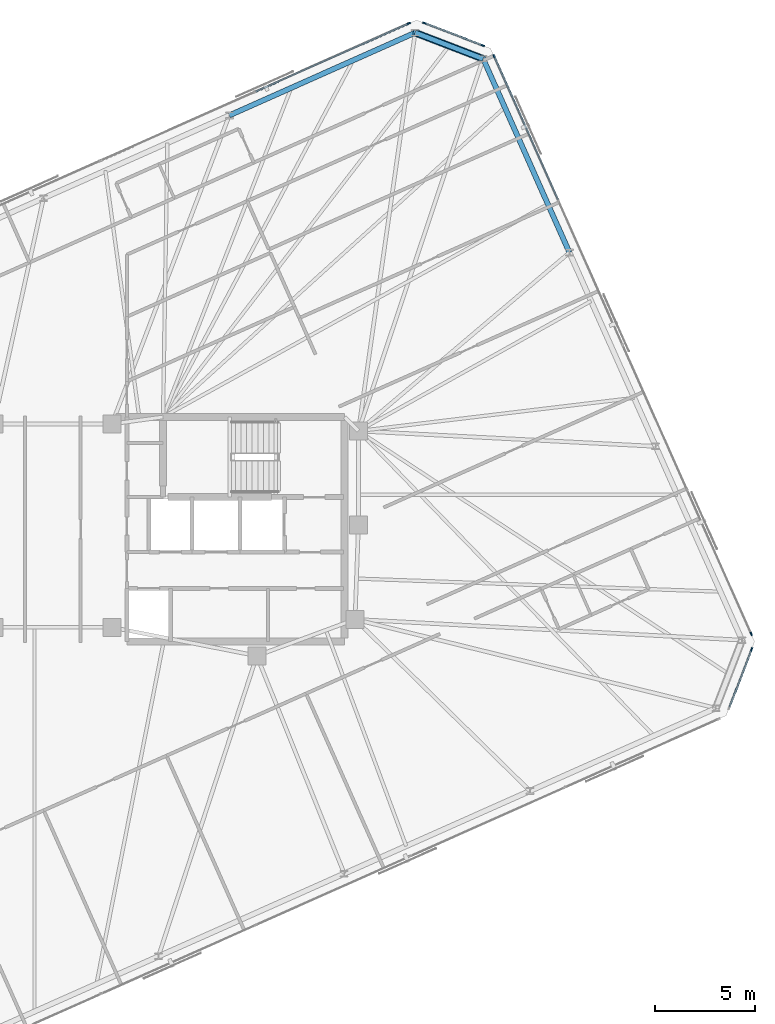
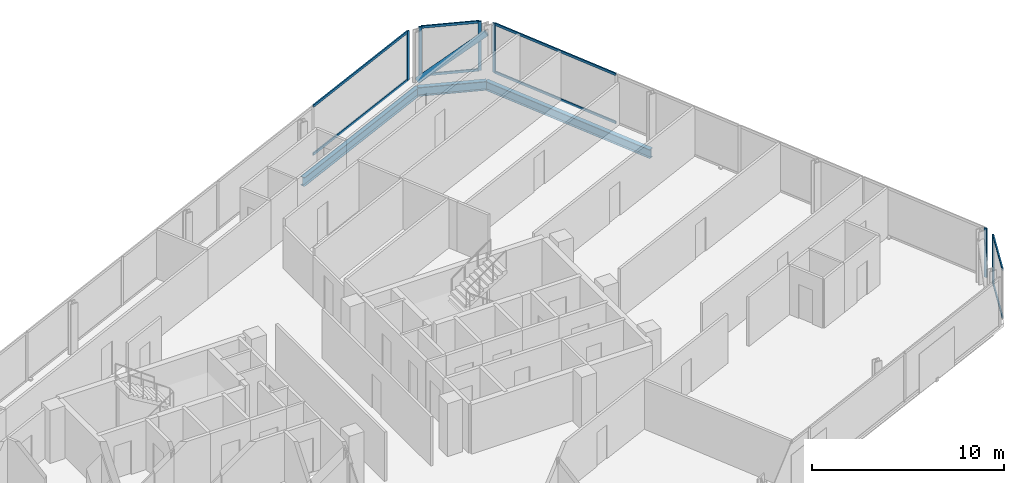
# One storey, part 11 of 19: 15 members, 3 beams, 4 elements without a shape of their own.
"""IFC4 building model written with IfcOpenShell, lengths in metres."""

from ifc_helpers import new_model, si_unit, direction, frame, origin, origin_2d, place, context, subcontext, project, spatial, rectangle, hollow_circle, i_section, extrude, material, material_profile, profile_set, type_object, element, aggregate, save


model = new_model("IFC4")

# Units and contexts
model_context = context("Model", 3, precision=1e-05, world=origin(), true_north=direction((0.0, 1.0)))
body_context = subcontext(model_context, "Body", "Model", "MODEL_VIEW")
ifc_project = project(units=[si_unit("LENGTHUNIT", "METRE"), si_unit("AREAUNIT", "SQUARE_METRE"), si_unit("VOLUMEUNIT", "CUBIC_METRE"), si_unit("PLANEANGLEUNIT", "RADIAN"), si_unit("MASSUNIT", "GRAM", prefix="KILO")], contexts=[model_context])

# Site, building, storey
site_placement = place(None, origin())
site = spatial("IfcSite", under=ifc_project, at=site_placement, CompositionType="ELEMENT")
building_placement = place(site_placement, origin())
building = spatial("IfcBuilding", under=site, at=building_placement, Name="Menara Jurai Vektor", CompositionType="ELEMENT")
storey_placement = place(building_placement, frame((0.0, 0.0, 288.60009765625)))
storey = spatial("IfcBuildingStorey", under=building, at=storey_placement, Name="L77", CompositionType="ELEMENT", Elevation=288.60009765625)

# Curtain wall, member
ifc_material_1 = material(Name="Anodised Pale Aluminium & Low-E Double Glazing", Category="aluminium")
curtain_wall_type = type_object("IfcCurtainWallType", Name="CW-BLK5", PredefinedType="NOTDEFINED", material=ifc_material_1)
curtain_wall_1_placement = place(storey_placement, origin())
curtain_wall_1 = element("IfcCurtainWall", 1, at=curtain_wall_1_placement, inside=storey, type_object=curtain_wall_type, Name="Unitised Curtain Wall L77 F02", PredefinedType="NOTDEFINED")
ifc_material_2 = material(Name="Anodised Pale Aluminium Mullion", Category="aluminium")
ifc_material_profile_1 = material_profile(ifc_material_2, rectangle(XDim=0.074951171875, YDim=0.175048828125, at=origin_2d()), Name="ALU MUL 75x175")
ifc_profile_set_1 = profile_set([ifc_material_profile_1], Name="Anodised Pale Aluminium Mullion")
member_type_1 = type_object("IfcMemberType", Name="CW-BLK5-MUL", PredefinedType="MULLION", material=ifc_profile_set_1)
member_1_placement = place(storey_placement, frame((34.87548828125, -5.997314453125, 0.0), z_axis=(0.0, 0.0, 1.0), x_axis=(-0.933578193639, 0.358373766287, 0.0)))
member_1 = element("IfcMember", 2, at=member_1_placement, type_object=member_type_1, Name="CW-05 mullion 2", PredefinedType="MULLION", context=body_context, shape_type="SweptSolid", body=[
    extrude(rectangle(XDim=0.074951171875, YDim=0.175048828125, at=origin_2d()), origin(), (0.0, 0.0, 1.0), 3.125),
])

# Curtain wall, members
curtain_wall_2_placement = place(storey_placement, origin())
curtain_wall_2 = element("IfcCurtainWall", 3, at=curtain_wall_2_placement, inside=storey, type_object=curtain_wall_type, Name="Unitised Curtain Wall L77 F03", PredefinedType="NOTDEFINED")
member_2_placement = place(storey_placement, frame((34.85546875, -5.22607421875, 0.0), z_axis=(0.0, 0.0, 1.0), x_axis=(-0.913546127706, -0.406735138086, 0.0)))
member_2 = element("IfcMember", 4, at=member_2_placement, type_object=member_type_1, Name="CW-05 mullion 1", PredefinedType="MULLION", context=body_context, shape_type="SweptSolid", body=[
    extrude(rectangle(XDim=0.074951171875, YDim=0.175048828125, at=origin_2d()), origin(), (0.0, 0.0, 1.0), 3.125),
])
member_3_placement = place(storey_placement, frame((22.016845703125, 23.610107421875, 0.0), z_axis=(0.0, 0.0, 1.0), x_axis=(-0.913546127706, -0.406735138086, 0.0)))
member_3 = element("IfcMember", 5, at=member_3_placement, type_object=member_type_1, Name="CW-05 mullion 5", PredefinedType="MULLION", context=body_context, shape_type="SweptSolid", body=[
    extrude(rectangle(XDim=0.074951171875, YDim=0.175048828125, at=origin_2d()), origin(), (0.0, 0.0, 1.0), 3.125),
])

curtain_wall_3_placement = place(storey_placement, origin())
curtain_wall_3 = element("IfcCurtainWall", 6, at=curtain_wall_3_placement, inside=storey, type_object=curtain_wall_type, Name="Unitised Curtain Wall L77 F04", PredefinedType="NOTDEFINED")
member_4_placement = place(storey_placement, frame((21.45703125, 24.14111328125, 0.0), z_axis=(0.0, 0.0, 1.0), x_axis=(-0.358373766287, -0.933578193639, 0.0)))
member_4 = element("IfcMember", 7, at=member_4_placement, type_object=member_type_1, Name="CW-05 mullion 1", PredefinedType="MULLION", context=body_context, shape_type="SweptSolid", body=[
    extrude(rectangle(XDim=0.074951171875, YDim=0.175048828125, at=origin_2d()), origin(), (0.0, 0.0, 1.0), 3.125),
])
member_5_placement = place(storey_placement, frame((18.539794921875, 25.2607421875, 0.0), z_axis=(0.0, 0.0, 1.0), x_axis=(-0.358373766287, -0.933578193639, 0.0)))
member_5 = element("IfcMember", 8, at=member_5_placement, type_object=member_type_1, Name="CW-05 mullion 2", PredefinedType="MULLION", context=body_context, shape_type="SweptSolid", body=[
    extrude(rectangle(XDim=0.074951171875, YDim=0.175048828125, at=origin_2d()), origin(), (0.0, 0.0, 1.0), 3.125),
])

# Curtain wall, member
curtain_wall_4_placement = place(storey_placement, origin())
curtain_wall_4 = element("IfcCurtainWall", 9, at=curtain_wall_4_placement, inside=storey, type_object=curtain_wall_type, Name="Unitised Curtain Wall L77 F05", PredefinedType="NOTDEFINED")
member_6_placement = place(storey_placement, frame((17.768798828125, 25.24072265625, 0.0), z_axis=(0.0, 0.0, 1.0), x_axis=(0.406735498684, -0.913545967158, 0.0)))
member_6 = element("IfcMember", 10, at=member_6_placement, type_object=member_type_1, Name="CW-05 mullion 1", PredefinedType="MULLION", context=body_context, shape_type="SweptSolid", body=[
    extrude(rectangle(XDim=0.074951171875, YDim=0.175048828125, at=origin_2d()), origin(), (0.0, 0.0, 1.0), 3.125),
])

# Member
ifc_material_3 = material(Name="Anodised Pale Aluminium Transom", Category="aluminium")
ifc_material_profile_2 = material_profile(ifc_material_3, rectangle(XDim=0.074951171875, YDim=0.155029296875, at=origin_2d()), Name="ALU TRN 75x155")
ifc_profile_set_2 = profile_set([ifc_material_profile_2], Name="Anodised Pale Aluminium Transom")
member_type_2 = type_object("IfcMemberType", Name="CW-BLK5-TRN", PredefinedType="USERDEFINED", material=ifc_profile_set_2)
member_7_placement = place(storey_placement, frame((33.769287109375, -8.87939453125, 0.037353515625), z_axis=(0.358324523823, 0.933597094911, 0.0), x_axis=(-0.933597094911, 0.358324523823, 0.0)))
member_7 = element("IfcMember", 11, at=member_7_placement, type_object=member_type_2, Name="CW-05 transom 1.1", ObjectType="TRANSOM", PredefinedType="USERDEFINED", context=body_context, shape_type="SweptSolid", body=[
    extrude(rectangle(XDim=0.074951171875, YDim=0.155029296875, at=origin_2d()), origin(), (0.0, 0.0, 1.0), 3.049560546875),
])

member_8_placement = place(storey_placement, frame((33.769287109375, -8.87939453125, 3.08740234375), z_axis=(0.358324523823, 0.933597094911, 0.0), x_axis=(-0.933597094911, 0.358324523823, 0.0)))
member_8 = element("IfcMember", 12, at=member_8_placement, type_object=member_type_2, Name="CW-05 transom 1.2", ObjectType="TRANSOM", PredefinedType="USERDEFINED", context=body_context, shape_type="SweptSolid", body=[
    extrude(rectangle(XDim=0.074951171875, YDim=0.155029296875, at=origin_2d()), origin(), (0.0, 0.0, 1.0), 3.049560546875),
])

aggregate(curtain_wall_1, [member_1, member_7, member_8])

member_9_placement = place(storey_placement, frame((25.20361328125, 16.452392578125, 0.037353515625), z_axis=(-0.406751345283, 0.913538911656, 0.0), x_axis=(-0.913538911656, -0.406751345283, 0.0)))
member_9 = element("IfcMember", 13, at=member_9_placement, type_object=member_type_2, Name="CW-05 transom 4.1", ObjectType="TRANSOM", PredefinedType="USERDEFINED", context=body_context, shape_type="SweptSolid", body=[
    extrude(rectangle(XDim=0.074951171875, YDim=0.155029296875, at=origin_2d()), origin(), (0.0, 0.0, 1.0), 7.79736328125),
])

member_10_placement = place(storey_placement, frame((25.20361328125, 16.452392578125, 3.08740234375), z_axis=(-0.406751345283, 0.913538911656, 0.0), x_axis=(-0.913538911656, -0.406751345283, 0.0)))
member_10 = element("IfcMember", 14, at=member_10_placement, type_object=member_type_2, Name="CW-05 transom 4.2", ObjectType="TRANSOM", PredefinedType="USERDEFINED", context=body_context, shape_type="SweptSolid", body=[
    extrude(rectangle(XDim=0.074951171875, YDim=0.155029296875, at=origin_2d()), origin(), (0.0, 0.0, 1.0), 7.79736328125),
])

aggregate(curtain_wall_2, [member_2, member_3, member_9, member_10])

member_11_placement = place(storey_placement, frame((21.422119140625, 24.154541015625, 0.037353515625), z_axis=(-0.933597094911, 0.358324523823, 0.0), x_axis=(-0.358324523823, -0.933597094911, 0.0)))
member_11 = element("IfcMember", 15, at=member_11_placement, type_object=member_type_2, Name="CW-05 transom 1.1", ObjectType="TRANSOM", PredefinedType="USERDEFINED", context=body_context, shape_type="SweptSolid", body=[
    extrude(rectangle(XDim=0.074951171875, YDim=0.155029296875, at=origin_2d()), origin(), (0.0, 0.0, 1.0), 3.049560546875),
])

member_12_placement = place(storey_placement, frame((21.422119140625, 24.154541015625, 3.08740234375), z_axis=(-0.933597094911, 0.358324523823, 0.0), x_axis=(-0.358324523823, -0.933597094911, 0.0)))
member_12 = element("IfcMember", 16, at=member_12_placement, type_object=member_type_2, Name="CW-05 transom 1.2", ObjectType="TRANSOM", PredefinedType="USERDEFINED", context=body_context, shape_type="SweptSolid", body=[
    extrude(rectangle(XDim=0.074951171875, YDim=0.155029296875, at=origin_2d()), origin(), (0.0, 0.0, 1.0), 3.049560546875),
])

aggregate(curtain_wall_3, [member_4, member_5, member_11, member_12])

member_13_placement = place(storey_placement, frame((17.734375, 25.225341796875, 0.037353515625), z_axis=(-0.913549007168, -0.406728670618, 0.0), x_axis=(0.406728670618, -0.913549007168, 0.0)))
member_13 = element("IfcMember", 17, at=member_13_placement, type_object=member_type_2, Name="CW-05 transom 1.1", ObjectType="TRANSOM", PredefinedType="USERDEFINED", context=body_context, shape_type="SweptSolid", body=[
    extrude(rectangle(XDim=0.074951171875, YDim=0.155029296875, at=origin_2d()), origin(), (0.0, 0.0, 1.0), 8.327392578125),
])

member_14_placement = place(storey_placement, frame((17.734375, 25.225341796875, 3.08740234375), z_axis=(-0.913549007168, -0.406728670618, 0.0), x_axis=(0.406728670618, -0.913549007168, 0.0)))
member_14 = element("IfcMember", 18, at=member_14_placement, type_object=member_type_2, Name="CW-05 transom 1.2", ObjectType="TRANSOM", PredefinedType="USERDEFINED", context=body_context, shape_type="SweptSolid", body=[
    extrude(rectangle(XDim=0.074951171875, YDim=0.155029296875, at=origin_2d()), origin(), (0.0, 0.0, 1.0), 8.327392578125),
])

aggregate(curtain_wall_4, [member_6, member_13, member_14])

ifc_material_4 = material(Name="Steel S460", Category="steel")
ifc_material_profile_3 = material_profile(ifc_material_4, hollow_circle(Radius=0.177734375, WallThickness=0.01611328125, at=origin_2d()), Name="CHS 355.6x16")
ifc_profile_set_3 = profile_set([ifc_material_profile_3], Name="Steel S460")
member_type_3 = type_object("IfcMemberType", Name="STR-BR-356", PredefinedType="BRACE", material=ifc_profile_set_3)
member_15_placement = place(storey_placement, frame((18.07958984375, 24.777099609375, 0.14990234375), z_axis=(0.757042028889, -0.2906257681, 0.585170085882), x_axis=(0.358394346877, 0.933570293083, 0.0)))
element("IfcMember", 19, at=member_15_placement, inside=storey, type_object=member_type_3, Name="Exoskeleton Corner Brace L77-2", PredefinedType="BRACE", context=body_context, shape_type="SweptSolid", body=[
    extrude(hollow_circle(Radius=0.177734375, WallThickness=0.01611328125, at=origin_2d()), origin(), (0.0, 0.0, 1.0), 4.48583984375),
])

# Beams
ifc_material_5 = material(Name="Steel S355", Category="steel")
ifc_material_profile_4 = material_profile(ifc_material_5, i_section(OverallWidth=0.260009765625, OverallDepth=0.570068359375, WebThickness=0.013916015625, FlangeThickness=0.02392578125, at=origin_2d()), Name="PG 570x260x145")
ifc_profile_set_4 = profile_set([ifc_material_profile_4], Name="Steel S355")
beam_type = type_object("IfcBeamType", Name="STR-SP-570", PredefinedType="SPANDREL", material=ifc_profile_set_4)
beam_1_placement = place(storey_placement, frame((25.781005859375, 13.80322265625, -0.510009765625), z_axis=(-0.40673543049, 0.91354599752, 0.0), x_axis=(-0.91354599752, -0.40673543049, 0.0)))
element("IfcBeam", 20, at=beam_1_placement, inside=storey, type_object=beam_type, Name="Exoskeleton Spandrel Beam L77-09", PredefinedType="SPANDREL", context=body_context, shape_type="SweptSolid", body=[
    extrude(i_section(OverallWidth=0.260009765625, OverallDepth=0.570068359375, WebThickness=0.013916015625, FlangeThickness=0.02392578125, at=origin_2d()), origin(), (0.0, 0.0, 1.0), 10.585205078125),
])
beam_2_placement = place(storey_placement, frame((21.4755859375, 23.473388671875, -0.510009765625), z_axis=(-0.933570293083, 0.358394346877, 0.0), x_axis=(-0.358394346877, -0.933570293083, 0.0)))
element("IfcBeam", 21, at=beam_2_placement, inside=storey, type_object=beam_type, Name="Exoskeleton Spandrel Beam L77-10", PredefinedType="SPANDREL", context=body_context, shape_type="SweptSolid", body=[
    extrude(i_section(OverallWidth=0.260009765625, OverallDepth=0.570068359375, WebThickness=0.013916015625, FlangeThickness=0.02392578125, at=origin_2d()), origin(), (0.0, 0.0, 1.0), 3.6376953125),
])
beam_3_placement = place(storey_placement, frame((18.07958984375, 24.777099609375, -0.510009765625), z_axis=(-0.913545561407, -0.406736410017, 0.0), x_axis=(0.406736410017, -0.913545561407, 0.0)))
element("IfcBeam", 22, at=beam_3_placement, inside=storey, type_object=beam_type, Name="Exoskeleton Spandrel Beam L77-11", PredefinedType="SPANDREL", context=body_context, shape_type="SweptSolid", body=[
    extrude(i_section(OverallWidth=0.260009765625, OverallDepth=0.570068359375, WebThickness=0.013916015625, FlangeThickness=0.02392578125, at=origin_2d()), origin(), (0.0, 0.0, 1.0), 10.1513671875),
])

save(model, "model.ifc")
